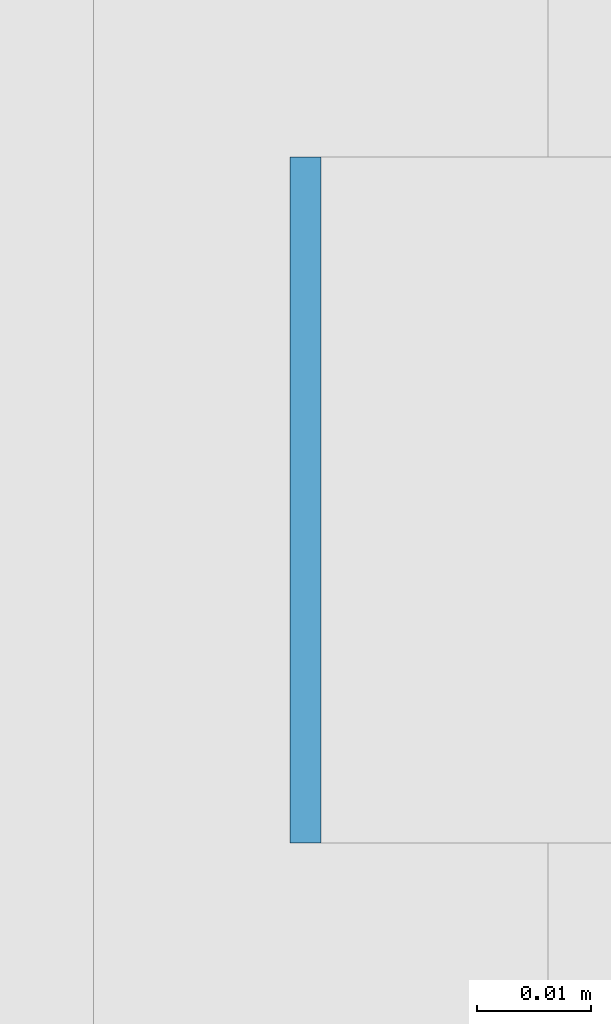
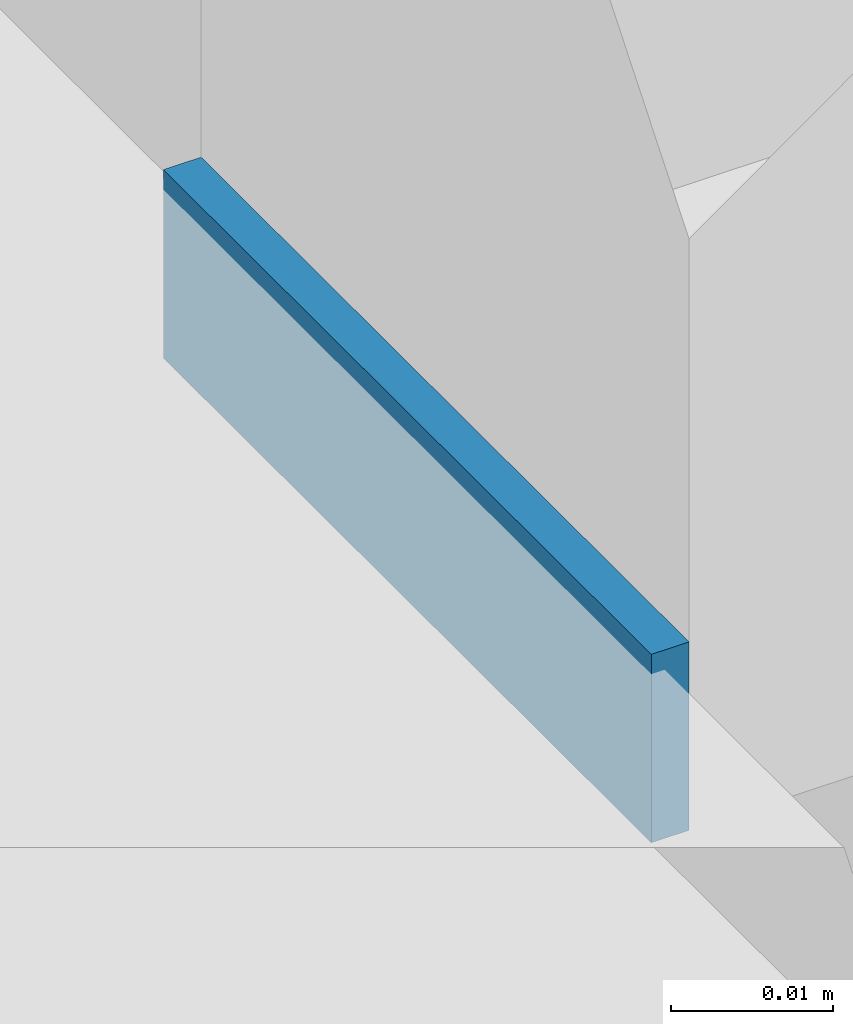
# One storey, part 452 of 646: 1 discrete accessory.
"""IFC4 building model written with IfcOpenShell, lengths in metres."""

from ifc_helpers import new_model, si_unit, direction, frame, origin, origin_2d, place, context, subcontext, project, spatial, rectangle, extrude, material, type_object, element, save


model = new_model("IFC4")

# Units and contexts
model_context = context("Model", 3, precision=1e-05, world=origin(), true_north=direction((0.0, 1.0)))
body_context = subcontext(model_context, "Body", "Model", "MODEL_VIEW")
ifc_project = project(units=[si_unit("LENGTHUNIT", "METRE"), si_unit("AREAUNIT", "SQUARE_METRE"), si_unit("VOLUMEUNIT", "CUBIC_METRE"), si_unit("PLANEANGLEUNIT", "RADIAN"), si_unit("MASSUNIT", "GRAM", prefix="KILO")], contexts=[model_context])

# Site, building, storey
site_placement = place(None, origin())
site = spatial("IfcSite", under=ifc_project, at=site_placement, CompositionType="ELEMENT")
building_placement = place(site_placement, origin())
building = spatial("IfcBuilding", under=site, at=building_placement, Name="Silverbay Arena", CompositionType="ELEMENT")
storey_placement = place(building_placement, frame((0.0, 0.0, 33.5)))
storey = spatial("IfcBuildingStorey", under=building, at=storey_placement, Name="L05", CompositionType="ELEMENT", Elevation=33.5)

# Discrete accessory
ifc_material = material(Name="Steel S355", Category="steel")
discrete_accessory_type = type_object("IfcDiscreteAccessoryType", Name="Steel bracket plate", PredefinedType="BRACKET", material=ifc_material)
discrete_accessory_placement = place(storey_placement, frame((207.128662109375, 39.857177734375, 4.0), z_axis=(0.0, 0.0, 1.0), x_axis=(1.0, 0.0, 0.0)))
element("IfcDiscreteAccessory", 1, at=discrete_accessory_placement, inside=storey, type_object=discrete_accessory_type, Name="Curtain wall packing plate", PredefinedType="BRACKET", context=body_context, shape_type="SweptSolid", body=[
    extrude(rectangle(XDim=0.002685546875, YDim=0.06005859375, at=origin_2d()), origin(), (0.0, 0.0, 1.0), 0.01416015625),
])

save(model, "model.ifc")
